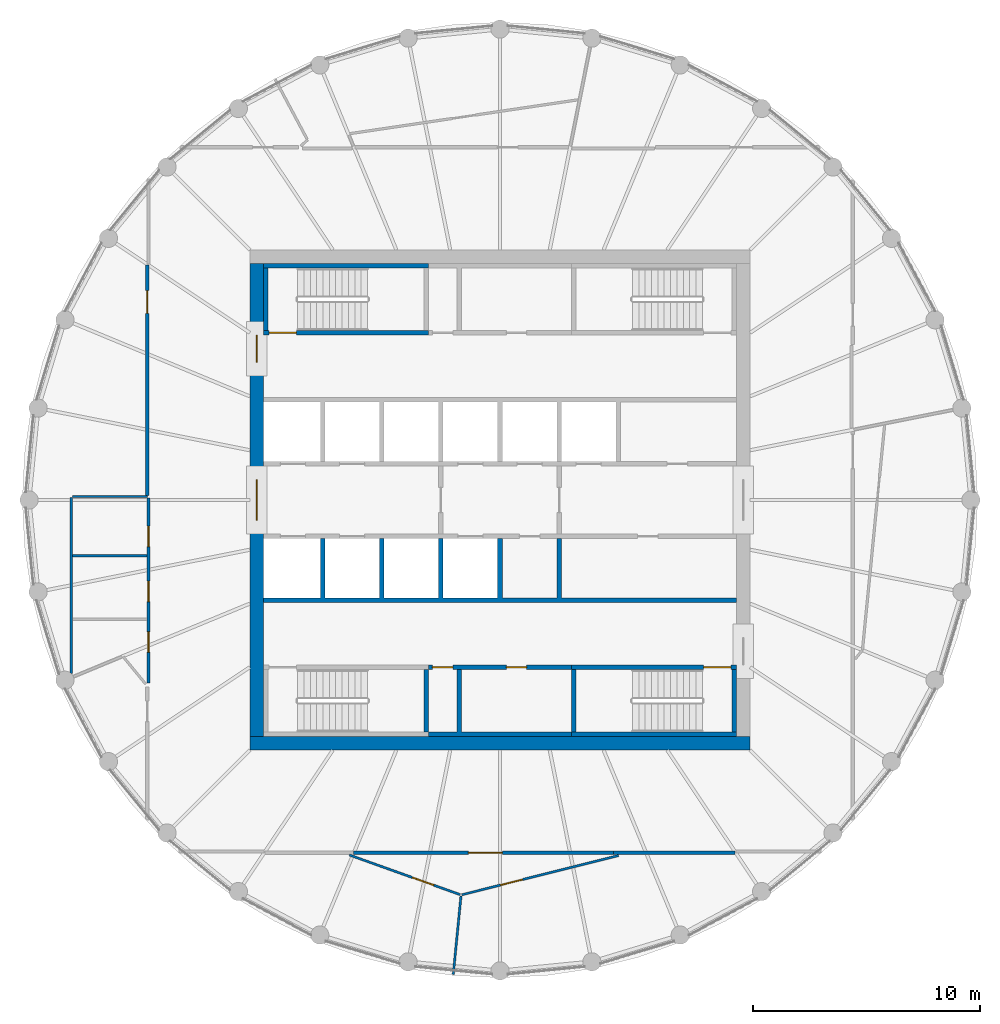
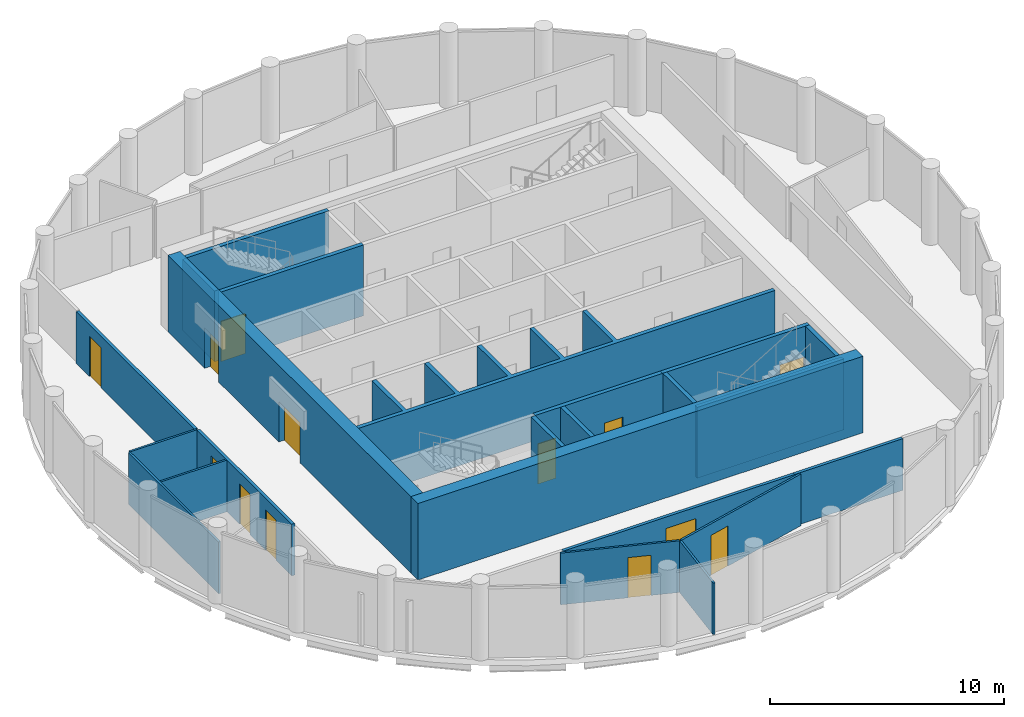
# One storey, part 4 of 7: 23 walls, 13 doors, 13 openings.
"""IFC4 building model written with IfcOpenShell, lengths in metres."""

from ifc_helpers import new_model, si_unit, direction, frame, frame_2d, origin, place, context, subcontext, project, spatial, polyline, rectangle, outline, extrude, material, layer, layer_set, type_object, element, fill, save


model = new_model("IFC4")

# Units and contexts
model_context = context("Model", 3, precision=1e-05, world=origin(), true_north=direction((0.0, 1.0)))
body_context = subcontext(model_context, "Body", "Model", "MODEL_VIEW")
ifc_project = project(units=[si_unit("LENGTHUNIT", "METRE"), si_unit("AREAUNIT", "SQUARE_METRE"), si_unit("VOLUMEUNIT", "CUBIC_METRE"), si_unit("PLANEANGLEUNIT", "RADIAN"), si_unit("MASSUNIT", "GRAM", prefix="KILO")], contexts=[model_context])

# Site, building, storey
site_placement = place(None, origin())
site = spatial("IfcSite", under=ifc_project, at=site_placement, CompositionType="ELEMENT")
building_placement = place(site_placement, origin())
building = spatial("IfcBuilding", under=site, at=building_placement, Name="Corvane Civic Tower", CompositionType="ELEMENT")
storey_placement = place(building_placement, frame((0.0, 0.0, 348.5)))
storey = spatial("IfcBuildingStorey", under=building, at=storey_placement, Name="L83", CompositionType="ELEMENT", Elevation=348.5)

# Wall
ifc_material_1 = material(Name="Concrete C40/50", Category="concrete")
ifc_layer_1 = layer(ifc_material_1, 0.60009765625)
ifc_layer_set_1 = layer_set([ifc_layer_1], Name="Concrete C40/50")
wall_type_1 = type_object("IfcWallType", Name="CORE WALL 600 C40/50", PredefinedType="SHEAR", material=ifc_layer_set_1)
wall_1_placement = place(storey_placement, frame((-11.0, -10.699951171875, 0.0), z_axis=(0.0, 0.0, 1.0), x_axis=(1.0, 0.0, 0.0)))
element("IfcWall", 1, at=wall_1_placement, inside=storey, type_object=wall_type_1, Name="W-L83-core-S", PredefinedType="SHEAR", context=body_context, shape_type="SweptSolid", body=[
    extrude(rectangle(XDim=22.0, YDim=0.60009765625, at=frame_2d((11.0, 0.0))), origin(), (0.0, 0.0, 1.0), 4.0),
])

# Wall, openings, doors
wall_2_placement = place(storey_placement, frame((-10.699951171875, -10.39990234375, 0.0), z_axis=(0.0, 0.0, 1.0), x_axis=(0.0, 1.0, 0.0)))
wall_2 = element("IfcWall", 2, at=wall_2_placement, inside=storey, type_object=wall_type_1, Name="W-L83-core-W", PredefinedType="SHEAR", context=body_context, shape_type="SweptSolid", body=[
    extrude(rectangle(XDim=20.7998046875, YDim=0.60009765625, at=frame_2d((10.39990234375, 0.0))), origin(), (0.0, 0.0, 1.0), 4.0),
])
opening_1_placement = place(wall_2_placement, frame((9.5, 0.0, 0.0)))
opening_1 = element("IfcOpeningElement", 3, at=opening_1_placement, cuts=wall_2, Name="Opening L83.C14", PredefinedType="OPENING", context=body_context, shape_type="SweptSolid", body=[
    extrude(rectangle(XDim=1.800048828125, YDim=2.10009765625, at=frame_2d((0.89990234375, 1.050048828125))), frame((0.0, 0.31005859375, 0.0), z_axis=(0.0, -1.0, 0.0), x_axis=(1.0, 0.0, 0.0)), (0.0, 0.0, 1.0), 0.6201171875),
])
opening_2_placement = place(wall_2_placement, frame((16.449951171875, 0.0, 0.0)))
opening_2 = element("IfcOpeningElement", 4, at=opening_2_placement, cuts=wall_2, Name="Opening L83.C16", PredefinedType="OPENING", context=body_context, shape_type="SweptSolid", body=[
    extrude(rectangle(XDim=1.199951171875, YDim=2.10009765625, at=frame_2d((0.60009765625, 1.050048828125))), frame((0.0, 0.31005859375, 0.0), z_axis=(0.0, -1.0, 0.0), x_axis=(1.0, 0.0, 0.0)), (0.0, 0.0, 1.0), 0.6201171875),
])
ifc_material_2 = material(Name="Steel fire door leaf", Category="steel")
door_type_1 = type_object("IfcDoorType", Name="CR-DOOR-CORE-1800", OperationType="DOUBLE_DOOR_SINGLE_SWING", PredefinedType="DOOR", material=ifc_material_2)
door_1_placement = place(opening_1_placement, origin())
door_1 = element("IfcDoor", 5, at=door_1_placement, inside=storey, type_object=door_type_1, Name="L83 door", OperationType="DOUBLE_DOOR_SINGLE_SWING", OverallHeight=2.10009765625, OverallWidth=1.800048828125, PredefinedType="DOOR", context=body_context, shape_type="SweptSolid", body=[
    extrude(rectangle(XDim=1.800048828125, YDim=2.10009765625, at=frame_2d((0.89990234375, 1.050048828125))), frame((0.0, 0.02490234375, 0.0), z_axis=(0.0, -1.0, 0.0), x_axis=(1.0, 0.0, 0.0)), (0.0, 0.0, 1.0), 0.050048828125),
])
fill(opening_1, door_1)
door_2_placement = place(opening_2_placement, origin())
door_2 = element("IfcDoor", 6, at=door_2_placement, inside=storey, type_object=door_type_1, Name="L83 door", OperationType="DOUBLE_DOOR_SINGLE_SWING", OverallHeight=2.10009765625, OverallWidth=1.199951171875, PredefinedType="DOOR", context=body_context, shape_type="SweptSolid", body=[
    extrude(rectangle(XDim=1.199951171875, YDim=2.10009765625, at=frame_2d((0.60009765625, 1.050048828125))), frame((0.0, 0.02490234375, 0.0), z_axis=(0.0, -1.0, 0.0), x_axis=(1.0, 0.0, 0.0)), (0.0, 0.0, 1.0), 0.050048828125),
])
fill(opening_2, door_2)

ifc_material_3 = material(Name="Concrete C30/37", Category="concrete")
ifc_layer_2 = layer(ifc_material_3, 0.199951171875)
ifc_layer_set_2 = layer_set([ifc_layer_2], Name="Concrete C30/37")
wall_type_2 = type_object("IfcWallType", Name="CR-WALL-200", PredefinedType="PARTITIONING", material=ifc_layer_set_2)
wall_3_placement = place(storey_placement, frame((-3.14990234375, -7.35009765625, 0.0), z_axis=(0.0, 0.0, 1.0), x_axis=(1.0, 0.0, 0.0)))
wall_3 = element("IfcWall", 7, at=wall_3_placement, inside=storey, type_object=wall_type_2, Name="L83 core partition wall", PredefinedType="PARTITIONING", context=body_context, shape_type="SweptSolid", body=[
    extrude(rectangle(XDim=6.2998046875, YDim=0.199951171875, at=frame_2d((3.14990234375, 0.0))), origin(), (0.0, 0.0, 1.0), 3.699951171875),
])
opening_3_placement = place(wall_3_placement, frame((0.175048828125, 0.0, 0.0)))
opening_3 = element("IfcOpeningElement", 8, at=opening_3_placement, cuts=wall_3, Name="Opening L83.C06", PredefinedType="OPENING", context=body_context, shape_type="SweptSolid", body=[
    extrude(rectangle(XDim=0.89990234375, YDim=2.10009765625, at=frame_2d((0.449951171875, 1.050048828125))), frame((0.0, 0.10986328125, 0.0), z_axis=(0.0, -1.0, 0.0), x_axis=(1.0, 0.0, 0.0)), (0.0, 0.0, 1.0), 0.219970703125),
])
opening_4_placement = place(wall_3_placement, frame((3.425048828125, 0.0, 0.0)))
opening_4 = element("IfcOpeningElement", 9, at=opening_4_placement, cuts=wall_3, Name="Opening L83.C07", PredefinedType="OPENING", context=body_context, shape_type="SweptSolid", body=[
    extrude(rectangle(XDim=0.89990234375, YDim=2.10009765625, at=frame_2d((0.449951171875, 1.050048828125))), frame((0.0, 0.10986328125, 0.0), z_axis=(0.0, -1.0, 0.0), x_axis=(1.0, 0.0, 0.0)), (0.0, 0.0, 1.0), 0.219970703125),
])
ifc_material_4 = material(Name="Steel fire door leaf", Category="steel")
door_type_2 = type_object("IfcDoorType", Name="CR-DOOR-900", OperationType="SINGLE_SWING_LEFT", PredefinedType="DOOR", material=ifc_material_4)
door_3_placement = place(opening_3_placement, origin())
door_3 = element("IfcDoor", 10, at=door_3_placement, inside=storey, type_object=door_type_2, Name="L83 door", OperationType="SINGLE_SWING_LEFT", OverallHeight=2.10009765625, OverallWidth=0.89990234375, PredefinedType="DOOR", context=body_context, shape_type="SweptSolid", body=[
    extrude(rectangle(XDim=0.89990234375, YDim=2.10009765625, at=frame_2d((0.449951171875, 1.050048828125))), frame((0.0, 0.02490234375, 0.0), z_axis=(0.0, -1.0, 0.0), x_axis=(1.0, 0.0, 0.0)), (0.0, 0.0, 1.0), 0.050048828125),
])
fill(opening_3, door_3)
door_4_placement = place(opening_4_placement, origin())
door_4 = element("IfcDoor", 11, at=door_4_placement, inside=storey, type_object=door_type_2, Name="L83 door", OperationType="SINGLE_SWING_LEFT", OverallHeight=2.10009765625, OverallWidth=0.89990234375, PredefinedType="DOOR", context=body_context, shape_type="SweptSolid", body=[
    extrude(rectangle(XDim=0.89990234375, YDim=2.10009765625, at=frame_2d((0.449951171875, 1.050048828125))), frame((0.0, 0.02490234375, 0.0), z_axis=(0.0, -1.0, 0.0), x_axis=(1.0, 0.0, 0.0)), (0.0, 0.0, 1.0), 0.050048828125),
])
fill(opening_4, door_4)

# Walls
wall_4_placement = place(storey_placement, origin())
element("IfcWall", 12, at=wall_4_placement, inside=storey, type_object=wall_type_2, Name="L83 core partition wall", PredefinedType="PARTITIONING", context=body_context, shape_type="SweptSolid", body=[
    extrude(outline(polyline([(-7.89990234375, -1.699951171875), (-7.699951171875, -1.699951171875), (-7.699951171875, -4.300048828125), (-5.300048828125, -4.300048828125), (-5.300048828125, -1.699951171875), (-5.10009765625, -1.699951171875), (-5.10009765625, -4.300048828125), (-2.699951171875, -4.300048828125), (-2.699951171875, -1.699951171875), (-2.5, -1.699951171875), (-2.5, -4.300048828125), (-0.10009765625, -4.300048828125), (-0.10009765625, -1.699951171875), (0.10009765625, -1.699951171875), (0.10009765625, -4.300048828125), (2.5, -4.300048828125), (2.5, -1.699951171875), (2.699951171875, -1.699951171875), (2.699951171875, -4.300048828125), (10.39990234375, -4.300048828125), (10.39990234375, -4.5), (-10.39990234375, -4.5), (-10.39990234375, -4.300048828125), (-7.89990234375, -4.300048828125), (-7.89990234375, -1.699951171875)])), origin(), (0.0, 0.0, 1.0), 3.699951171875),
])
wall_5_placement = place(storey_placement, origin())
element("IfcWall", 13, at=wall_5_placement, inside=storey, type_object=wall_type_2, Name="L83 core partition wall", PredefinedType="PARTITIONING", context=body_context, shape_type="SweptSolid", body=[
    extrude(outline(polyline([(-1.89990234375, -7.449951171875), (-1.699951171875, -7.449951171875), (-1.699951171875, -10.199951171875), (3.14990234375, -10.199951171875), (3.14990234375, -10.39990234375), (-3.14990234375, -10.39990234375), (-3.14990234375, -10.199951171875), (-1.89990234375, -10.199951171875), (-1.89990234375, -7.449951171875)])), origin(), (0.0, 0.0, 1.0), 3.699951171875),
])
ifc_material_5 = material(Name="Plasterboard")
ifc_layer_3 = layer(ifc_material_5, 0.10009765625)
ifc_layer_set_3 = layer_set([ifc_layer_3], Name="Plasterboard")
wall_type_3 = type_object("IfcWallType", Name="Partition 100 plasterboard on studs", PredefinedType="PARTITIONING", material=ifc_layer_set_3)
wall_6_placement = place(storey_placement, frame((-2.053466796875, -20.849365234375, 0.0), z_axis=(0.0, 0.0, 1.0), x_axis=(0.098003807525, 0.995186039749, 0.0)))
element("IfcWall", 14, at=wall_6_placement, inside=storey, type_object=wall_type_3, Name="Partition L83.001", PredefinedType="PARTITIONING", context=body_context, shape_type="SweptSolid", body=[
    extrude(rectangle(XDim=3.465087890625, YDim=0.10009765625, at=frame_2d((1.732421875, 0.0))), origin(), (0.0, 0.0, 1.0), 2.699951171875),
])

# Wall, opening, door
wall_7_placement = place(storey_placement, frame((-6.61962890625, -15.605224609375, 0.0), z_axis=(0.0, 0.0, 1.0), x_axis=(0.941535751178, -0.336913088577, 0.0)))
wall_7 = element("IfcWall", 15, at=wall_7_placement, inside=storey, type_object=wall_type_3, Name="Partition L83.002", PredefinedType="PARTITIONING", context=body_context, shape_type="SweptSolid", body=[
    extrude(rectangle(XDim=5.17529296875, YDim=0.10009765625, at=frame_2d((2.587646484375, 0.0))), origin(), (0.0, 0.0, 1.0), 2.699951171875),
])
opening_5_placement = place(wall_7_placement, frame((2.94140625, 0.0, 0.0)))
opening_5 = element("IfcOpeningElement", 16, at=opening_5_placement, cuts=wall_7, Name="Opening L83.004", PredefinedType="OPENING", context=body_context, shape_type="SweptSolid", body=[
    extrude(rectangle(XDim=1.0, YDim=2.10009765625, at=frame_2d((0.5, 1.050048828125))), frame((0.0, 0.06005859375, 0.0), z_axis=(0.0, -1.0, 0.0), x_axis=(1.0, 0.0, 0.0)), (0.0, 0.0, 1.0), 0.1201171875),
])
ifc_material_6 = material(Name="Timber", Category="wood")
door_type_3 = type_object("IfcDoorType", Name="Single door 1000", OperationType="NOTDEFINED", PredefinedType="DOOR", material=ifc_material_6)
door_5_placement = place(opening_5_placement, frame((1.0, 0.0, 0.0), z_axis=(0.0, 0.0, 1.0), x_axis=(-1.0, 0.0, 0.0)))
door_5 = element("IfcDoor", 17, at=door_5_placement, inside=storey, type_object=door_type_3, Name="Door L83.004", OperationType="SINGLE_SWING_LEFT", OverallHeight=2.10009765625, OverallWidth=1.0, PredefinedType="DOOR", context=body_context, shape_type="SweptSolid", body=[
    extrude(rectangle(XDim=1.0, YDim=2.10009765625, at=frame_2d((0.5, 1.050048828125))), frame((0.0, 0.02490234375, 0.0), z_axis=(0.0, -1.0, 0.0), x_axis=(1.0, 0.0, 0.0)), (0.0, 0.0, 1.0), 0.050048828125),
])
fill(opening_5, door_5)

wall_8_placement = place(storey_placement, frame((-1.67578125, -17.353515625, 0.0), z_axis=(0.0, 0.0, 1.0), x_axis=(0.970033252697, 0.242972197302, 0.0)))
wall_8 = element("IfcWall", 18, at=wall_8_placement, inside=storey, type_object=wall_type_3, Name="Partition L83.003", PredefinedType="PARTITIONING", context=body_context, shape_type="SweptSolid", body=[
    extrude(rectangle(XDim=7.10498046875, YDim=0.10009765625, at=frame_2d((3.552490234375, 0.0))), origin(), (0.0, 0.0, 1.0), 2.699951171875),
])
opening_6_placement = place(wall_8_placement, frame((1.748779296875, 0.0, 0.0)))
opening_6 = element("IfcOpeningElement", 19, at=opening_6_placement, cuts=wall_8, Name="Opening L83.003", PredefinedType="OPENING", context=body_context, shape_type="SweptSolid", body=[
    extrude(rectangle(XDim=1.0, YDim=2.10009765625, at=frame_2d((0.5, 1.050048828125))), frame((0.0, 0.06005859375, 0.0), z_axis=(0.0, -1.0, 0.0), x_axis=(1.0, 0.0, 0.0)), (0.0, 0.0, 1.0), 0.1201171875),
])
door_6_placement = place(opening_6_placement, frame((1.0, 0.0, 0.0), z_axis=(0.0, 0.0, 1.0), x_axis=(-1.0, 0.0, 0.0)))
door_6 = element("IfcDoor", 20, at=door_6_placement, inside=storey, type_object=door_type_3, Name="Door L83.003", OperationType="SINGLE_SWING_RIGHT", OverallHeight=2.10009765625, OverallWidth=1.0, PredefinedType="DOOR", context=body_context, shape_type="SweptSolid", body=[
    extrude(rectangle(XDim=1.0, YDim=2.10009765625, at=frame_2d((0.5, 1.050048828125))), frame((0.0, 0.02490234375, 0.0), z_axis=(0.0, -1.0, 0.0), x_axis=(1.0, 0.0, 0.0)), (0.0, 0.0, 1.0), 0.050048828125),
])
fill(opening_6, door_6)

# Walls
wall_9_placement = place(storey_placement, frame((-18.85009765625, -7.617431640625, 0.0), z_axis=(0.0, 0.0, 1.0), x_axis=(0.0, 1.0, 0.0)))
element("IfcWall", 21, at=wall_9_placement, inside=storey, type_object=wall_type_3, Name="Partition L83.014", PredefinedType="PARTITIONING", context=body_context, shape_type="SweptSolid", body=[
    extrude(rectangle(XDim=7.72216796875, YDim=0.10009765625, at=frame_2d((3.861083984375, 0.0))), origin(), (0.0, 0.0, 1.0), 2.699951171875),
])
wall_10_placement = place(storey_placement, frame((-18.800048828125, -2.4453125, 0.0), z_axis=(0.0, 0.0, 1.0), x_axis=(1.0, 0.0, 0.0)))
element("IfcWall", 22, at=wall_10_placement, inside=storey, type_object=wall_type_3, Name="Partition L83.017", PredefinedType="PARTITIONING", context=body_context, shape_type="SweptSolid", body=[
    extrude(rectangle(XDim=3.275146484375, YDim=0.10009765625, at=frame_2d((1.6376953125, 0.0))), origin(), (0.0, 0.0, 1.0), 2.699951171875),
])
wall_11_placement = place(storey_placement, frame((-18.800048828125, 0.15478515625, 0.0), z_axis=(0.0, 0.0, 1.0), x_axis=(1.0, 0.0, 0.0)))
element("IfcWall", 23, at=wall_11_placement, inside=storey, type_object=wall_type_3, Name="Partition L83.018", PredefinedType="PARTITIONING", context=body_context, shape_type="SweptSolid", body=[
    extrude(rectangle(XDim=3.300048828125, YDim=0.10009765625, at=frame_2d((1.64990234375, 0.0))), origin(), (0.0, 0.0, 1.0), 2.699951171875),
])

# Wall, opening, door
ifc_material_7 = material(Name="Concrete C50/60", Category="concrete")
ifc_layer_4 = layer(ifc_material_7, 0.199951171875)
ifc_layer_set_4 = layer_set([ifc_layer_4], Name="Concrete C50/60")
wall_type_4 = type_object("IfcWallType", Name="ST-WALL-200", PredefinedType="SHEAR", material=ifc_layer_set_4)
wall_12_placement = place(storey_placement, frame((3.14990234375, -7.35009765625, 0.0), z_axis=(0.0, 0.0, 1.0), x_axis=(1.0, 0.0, 0.0)))
wall_12 = element("IfcWall", 24, at=wall_12_placement, inside=storey, type_object=wall_type_4, Name="L83 stair enclosure wall", PredefinedType="SHEAR", context=body_context, shape_type="SweptSolid", body=[
    extrude(rectangle(XDim=7.25, YDim=0.199951171875, at=frame_2d((3.625, 0.0))), origin(), (0.0, 0.0, 1.0), 3.699951171875),
])
opening_7_placement = place(wall_12_placement, frame((5.800048828125, 0.0, 0.0)))
opening_7 = element("IfcOpeningElement", 25, at=opening_7_placement, cuts=wall_12, Name="Opening L83.C10", PredefinedType="OPENING", context=body_context, shape_type="SweptSolid", body=[
    extrude(rectangle(XDim=1.199951171875, YDim=2.10009765625, at=frame_2d((0.60009765625, 1.050048828125))), frame((0.0, 0.10986328125, 0.0), z_axis=(0.0, -1.0, 0.0), x_axis=(1.0, 0.0, 0.0)), (0.0, 0.0, 1.0), 0.219970703125),
])
ifc_material_8 = material(Name="Steel fire door leaf", Category="steel")
door_type_4 = type_object("IfcDoorType", Name="ST-DOOR-1200", OperationType="SINGLE_SWING_RIGHT", PredefinedType="DOOR", material=ifc_material_8)
door_7_placement = place(opening_7_placement, origin())
door_7 = element("IfcDoor", 26, at=door_7_placement, inside=storey, type_object=door_type_4, Name="L83 stair door", OperationType="SINGLE_SWING_RIGHT", OverallHeight=2.10009765625, OverallWidth=1.199951171875, PredefinedType="DOOR", context=body_context, shape_type="SweptSolid", body=[
    extrude(rectangle(XDim=1.199951171875, YDim=2.10009765625, at=frame_2d((0.60009765625, 1.050048828125))), frame((0.0, 0.02490234375, 0.0), z_axis=(0.0, -1.0, 0.0), x_axis=(1.0, 0.0, 0.0)), (0.0, 0.0, 1.0), 0.050048828125),
])
fill(opening_7, door_7)

wall_13_placement = place(storey_placement, frame((-10.39990234375, 7.35009765625, 0.0), z_axis=(0.0, 0.0, 1.0), x_axis=(1.0, 0.0, 0.0)))
wall_13 = element("IfcWall", 27, at=wall_13_placement, inside=storey, type_object=wall_type_4, Name="L83 stair enclosure wall", PredefinedType="SHEAR", context=body_context, shape_type="SweptSolid", body=[
    extrude(rectangle(XDim=7.25, YDim=0.199951171875, at=frame_2d((3.625, 0.0))), origin(), (0.0, 0.0, 1.0), 3.699951171875),
])
opening_8_placement = place(wall_13_placement, frame((0.25, 0.0, 0.0)))
opening_8 = element("IfcOpeningElement", 28, at=opening_8_placement, cuts=wall_13, Name="Opening L83.C09", PredefinedType="OPENING", context=body_context, shape_type="SweptSolid", body=[
    extrude(rectangle(XDim=1.199951171875, YDim=2.10009765625, at=frame_2d((0.60009765625, 1.050048828125))), frame((0.0, 0.10986328125, 0.0), z_axis=(0.0, -1.0, 0.0), x_axis=(1.0, 0.0, 0.0)), (0.0, 0.0, 1.0), 0.219970703125),
])
door_8_placement = place(opening_8_placement, origin())
door_8 = element("IfcDoor", 29, at=door_8_placement, inside=storey, type_object=door_type_4, Name="L83 stair door", OperationType="SINGLE_SWING_RIGHT", OverallHeight=2.10009765625, OverallWidth=1.199951171875, PredefinedType="DOOR", context=body_context, shape_type="SweptSolid", body=[
    extrude(rectangle(XDim=1.199951171875, YDim=2.10009765625, at=frame_2d((0.60009765625, 1.050048828125))), frame((0.0, 0.02490234375, 0.0), z_axis=(0.0, -1.0, 0.0), x_axis=(1.0, 0.0, 0.0)), (0.0, 0.0, 1.0), 0.050048828125),
])
fill(opening_8, door_8)

# Walls
wall_14_placement = place(storey_placement, origin())
element("IfcWall", 30, at=wall_14_placement, inside=storey, type_object=wall_type_4, Name="L83 stair enclosure wall", PredefinedType="SHEAR", context=body_context, shape_type="SweptSolid", body=[
    extrude(outline(polyline([(-3.14990234375, 10.199951171875), (-10.39990234375, 10.199951171875), (-10.39990234375, 10.39990234375), (-3.14990234375, 10.39990234375), (-3.14990234375, 10.199951171875)])), origin(), (0.0, 0.0, 1.0), 3.699951171875),
])
wall_15_placement = place(storey_placement, origin())
element("IfcWall", 31, at=wall_15_placement, inside=storey, type_object=wall_type_4, Name="L83 stair enclosure wall", PredefinedType="SHEAR", context=body_context, shape_type="SweptSolid", body=[
    extrude(outline(polyline([(10.39990234375, -10.39990234375), (3.14990234375, -10.39990234375), (3.14990234375, -10.199951171875), (10.39990234375, -10.199951171875), (10.39990234375, -10.39990234375)])), origin(), (0.0, 0.0, 1.0), 3.699951171875),
])
wall_16_placement = place(storey_placement, origin())
element("IfcWall", 32, at=wall_16_placement, inside=storey, type_object=wall_type_4, Name="L83 stair enclosure wall", PredefinedType="SHEAR", context=body_context, shape_type="SweptSolid", body=[
    extrude(outline(polyline([(-3.14990234375, -7.449951171875), (-3.14990234375, -10.199951171875), (-3.35009765625, -10.199951171875), (-3.35009765625, -7.449951171875), (-3.14990234375, -7.449951171875)])), origin(), (0.0, 0.0, 1.0), 3.699951171875),
])
wall_17_placement = place(storey_placement, origin())
element("IfcWall", 33, at=wall_17_placement, inside=storey, type_object=wall_type_4, Name="L83 stair enclosure wall", PredefinedType="SHEAR", context=body_context, shape_type="SweptSolid", body=[
    extrude(outline(polyline([(3.35009765625, -7.449951171875), (3.35009765625, -10.199951171875), (3.14990234375, -10.199951171875), (3.14990234375, -7.449951171875), (3.35009765625, -7.449951171875)])), origin(), (0.0, 0.0, 1.0), 3.699951171875),
])
wall_18_placement = place(storey_placement, origin())
element("IfcWall", 34, at=wall_18_placement, inside=storey, type_object=wall_type_4, Name="L83 stair enclosure wall", PredefinedType="SHEAR", context=body_context, shape_type="SweptSolid", body=[
    extrude(outline(polyline([(-10.199951171875, 7.449951171875), (-10.39990234375, 7.449951171875), (-10.39990234375, 10.199951171875), (-10.199951171875, 10.199951171875), (-10.199951171875, 7.449951171875)])), origin(), (0.0, 0.0, 1.0), 3.699951171875),
])
wall_19_placement = place(storey_placement, origin())
element("IfcWall", 35, at=wall_19_placement, inside=storey, type_object=wall_type_4, Name="L83 stair enclosure wall", PredefinedType="SHEAR", context=body_context, shape_type="SweptSolid", body=[
    extrude(outline(polyline([(10.39990234375, -7.449951171875), (10.39990234375, -10.199951171875), (10.199951171875, -10.199951171875), (10.199951171875, -7.449951171875), (10.39990234375, -7.449951171875)])), origin(), (0.0, 0.0, 1.0), 3.699951171875),
])

# Wall, opening, door
ifc_material_9 = material(Name="Plasterboard")
ifc_layer_5 = layer(ifc_material_9, 0.14990234375)
ifc_layer_set_5 = layer_set([ifc_layer_5], Name="Plasterboard")
wall_type_5 = type_object("IfcWallType", Name="Tenancy wall 150 EI 60", PredefinedType="PARTITIONING", material=ifc_layer_set_5)
wall_20_placement = place(storey_placement, frame((-6.447265625, -15.5, 0.0), z_axis=(0.0, 0.0, 1.0), x_axis=(1.0, 0.0, 0.0)))
wall_20 = element("IfcWall", 36, at=wall_20_placement, inside=storey, type_object=wall_type_5, Name="Partition L83.005", PredefinedType="PARTITIONING", context=body_context, shape_type="SweptSolid", body=[
    extrude(rectangle(XDim=11.43505859375, YDim=0.14990234375, at=frame_2d((5.717529296875, 0.0))), origin(), (0.0, 0.0, 1.0), 2.699951171875),
])
opening_9_placement = place(wall_20_placement, frame((5.055419921875, 0.0, 0.0)))
opening_9 = element("IfcOpeningElement", 37, at=opening_9_placement, cuts=wall_20, Name="Opening L83.005", PredefinedType="OPENING", context=body_context, shape_type="SweptSolid", body=[
    extrude(rectangle(XDim=1.5, YDim=2.10009765625, at=frame_2d((0.75, 1.050048828125))), frame((0.0, 0.0849609375, 0.0), z_axis=(0.0, -1.0, 0.0), x_axis=(1.0, 0.0, 0.0)), (0.0, 0.0, 1.0), 0.169921875),
])
ifc_material_10 = material(Name="Steel and timber", Category="steel")
door_type_5 = type_object("IfcDoorType", Name="Fire door FD60 double 1500", OperationType="NOTDEFINED", PredefinedType="DOOR", material=ifc_material_10)
door_9_placement = place(opening_9_placement, frame((1.5, 0.0, 0.0), z_axis=(0.0, 0.0, 1.0), x_axis=(-1.0, 0.0, 0.0)))
door_9 = element("IfcDoor", 38, at=door_9_placement, inside=storey, type_object=door_type_5, Name="Door L83.005", OperationType="DOUBLE_DOOR_SINGLE_SWING", OverallHeight=2.10009765625, OverallWidth=1.5, PredefinedType="DOOR", context=body_context, shape_type="SweptSolid", body=[
    extrude(rectangle(XDim=1.5, YDim=2.10009765625, at=frame_2d((0.75, 1.050048828125))), frame((0.0, 0.02490234375, 0.0), z_axis=(0.0, -1.0, 0.0), x_axis=(1.0, 0.0, 0.0)), (0.0, 0.0, 1.0), 0.050048828125),
])
fill(opening_9, door_9)

# Wall
wall_21_placement = place(storey_placement, frame((4.98779296875, -15.5, 0.0), z_axis=(0.0, 0.0, 1.0), x_axis=(1.0, 0.0, 0.0)))
element("IfcWall", 39, at=wall_21_placement, inside=storey, type_object=wall_type_5, Name="Partition L83.006", PredefinedType="PARTITIONING", context=body_context, shape_type="SweptSolid", body=[
    extrude(rectangle(XDim=5.343017578125, YDim=0.14990234375, at=frame_2d((2.67138671875, 0.0))), origin(), (0.0, 0.0, 1.0), 2.699951171875),
])

# Wall, openings, doors
wall_22_placement = place(storey_placement, frame((-15.449951171875, -8.03564453125, 0.0), z_axis=(0.0, 0.0, 1.0), x_axis=(0.0, 1.0, 0.0)))
wall_22 = element("IfcWall", 40, at=wall_22_placement, inside=storey, type_object=wall_type_5, Name="Partition L83.012", PredefinedType="PARTITIONING", context=body_context, shape_type="SweptSolid", body=[
    extrude(rectangle(XDim=8.115234375, YDim=0.14990234375, at=frame_2d((4.0576171875, 0.0))), origin(), (0.0, 0.0, 1.0), 2.699951171875),
])
opening_10_placement = place(wall_22_placement, frame((3.564697265625, 0.0, 0.0)))
opening_10 = element("IfcOpeningElement", 41, at=opening_10_placement, cuts=wall_22, Name="Opening L83.008", PredefinedType="OPENING", context=body_context, shape_type="SweptSolid", body=[
    extrude(rectangle(XDim=0.89990234375, YDim=2.10009765625, at=frame_2d((0.449951171875, 1.050048828125))), frame((0.0, 0.0849609375, 0.0), z_axis=(0.0, -1.0, 0.0), x_axis=(1.0, 0.0, 0.0)), (0.0, 0.0, 1.0), 0.169921875),
])
opening_11_placement = place(wall_22_placement, frame((5.98779296875, 0.0, 0.0)))
opening_11 = element("IfcOpeningElement", 42, at=opening_11_placement, cuts=wall_22, Name="Opening L83.009", PredefinedType="OPENING", context=body_context, shape_type="SweptSolid", body=[
    extrude(rectangle(XDim=0.89990234375, YDim=2.10009765625, at=frame_2d((0.449951171875, 1.050048828125))), frame((0.0, 0.0849609375, 0.0), z_axis=(0.0, -1.0, 0.0), x_axis=(1.0, 0.0, 0.0)), (0.0, 0.0, 1.0), 0.169921875),
])
opening_12_placement = place(wall_22_placement, frame((1.343994140625, 0.0, 0.0)))
opening_12 = element("IfcOpeningElement", 43, at=opening_12_placement, cuts=wall_22, Name="Opening L83.010", PredefinedType="OPENING", context=body_context, shape_type="SweptSolid", body=[
    extrude(rectangle(XDim=0.89990234375, YDim=2.10009765625, at=frame_2d((0.449951171875, 1.050048828125))), frame((0.0, 0.0849609375, 0.0), z_axis=(0.0, -1.0, 0.0), x_axis=(1.0, 0.0, 0.0)), (0.0, 0.0, 1.0), 0.169921875),
])
ifc_material_11 = material(Name="Steel and timber", Category="steel")
door_type_6 = type_object("IfcDoorType", Name="Fire door FD30S 900", OperationType="NOTDEFINED", PredefinedType="DOOR", material=ifc_material_11)
door_10_placement = place(opening_10_placement, origin())
door_10 = element("IfcDoor", 44, at=door_10_placement, inside=storey, type_object=door_type_6, Name="Door L83.008", OperationType="SINGLE_SWING_LEFT", OverallHeight=2.10009765625, OverallWidth=0.89990234375, PredefinedType="DOOR", context=body_context, shape_type="SweptSolid", body=[
    extrude(rectangle(XDim=0.89990234375, YDim=2.10009765625, at=frame_2d((0.449951171875, 1.050048828125))), frame((0.0, 0.02490234375, 0.0), z_axis=(0.0, -1.0, 0.0), x_axis=(1.0, 0.0, 0.0)), (0.0, 0.0, 1.0), 0.050048828125),
])
fill(opening_10, door_10)
door_11_placement = place(opening_11_placement, origin())
door_11 = element("IfcDoor", 45, at=door_11_placement, inside=storey, type_object=door_type_6, Name="Door L83.009", OperationType="SINGLE_SWING_RIGHT", OverallHeight=2.10009765625, OverallWidth=0.89990234375, PredefinedType="DOOR", context=body_context, shape_type="SweptSolid", body=[
    extrude(rectangle(XDim=0.89990234375, YDim=2.10009765625, at=frame_2d((0.449951171875, 1.050048828125))), frame((0.0, 0.02490234375, 0.0), z_axis=(0.0, -1.0, 0.0), x_axis=(1.0, 0.0, 0.0)), (0.0, 0.0, 1.0), 0.050048828125),
])
fill(opening_11, door_11)
door_12_placement = place(opening_12_placement, origin())
door_12 = element("IfcDoor", 46, at=door_12_placement, inside=storey, type_object=door_type_6, Name="Door L83.010", OperationType="SINGLE_SWING_LEFT", OverallHeight=2.10009765625, OverallWidth=0.89990234375, PredefinedType="DOOR", context=body_context, shape_type="SweptSolid", body=[
    extrude(rectangle(XDim=0.89990234375, YDim=2.10009765625, at=frame_2d((0.449951171875, 1.050048828125))), frame((0.0, 0.02490234375, 0.0), z_axis=(0.0, -1.0, 0.0), x_axis=(1.0, 0.0, 0.0)), (0.0, 0.0, 1.0), 0.050048828125),
])
fill(opening_12, door_12)

# Wall, opening, door
wall_23_placement = place(storey_placement, frame((-15.5, 0.20458984375, 0.0), z_axis=(0.0, 0.0, 1.0), x_axis=(0.0, 1.0, 0.0)))
wall_23 = element("IfcWall", 47, at=wall_23_placement, inside=storey, type_object=wall_type_5, Name="Partition L83.019", PredefinedType="PARTITIONING", context=body_context, shape_type="SweptSolid", body=[
    extrude(rectangle(XDim=10.126220703125, YDim=0.14990234375, at=frame_2d((5.06298828125, 0.0))), origin(), (0.0, 0.0, 1.0), 2.699951171875),
])
opening_13_placement = place(wall_23_placement, frame((7.99658203125, 0.0, 0.0)))
opening_13 = element("IfcOpeningElement", 48, at=opening_13_placement, cuts=wall_23, Name="Opening L83.007", PredefinedType="OPENING", context=body_context, shape_type="SweptSolid", body=[
    extrude(rectangle(XDim=1.0, YDim=2.10009765625, at=frame_2d((0.5, 1.050048828125))), frame((0.0, 0.0849609375, 0.0), z_axis=(0.0, -1.0, 0.0), x_axis=(1.0, 0.0, 0.0)), (0.0, 0.0, 1.0), 0.169921875),
])
ifc_material_12 = material(Name="Steel and timber", Category="steel")
door_type_7 = type_object("IfcDoorType", Name="Fire door FD30S 1000", OperationType="NOTDEFINED", PredefinedType="DOOR", material=ifc_material_12)
door_13_placement = place(opening_13_placement, origin())
door_13 = element("IfcDoor", 49, at=door_13_placement, inside=storey, type_object=door_type_7, Name="Door L83.007", OperationType="SINGLE_SWING_LEFT", OverallHeight=2.10009765625, OverallWidth=1.0, PredefinedType="DOOR", context=body_context, shape_type="SweptSolid", body=[
    extrude(rectangle(XDim=1.0, YDim=2.10009765625, at=frame_2d((0.5, 1.050048828125))), frame((0.0, 0.02490234375, 0.0), z_axis=(0.0, -1.0, 0.0), x_axis=(1.0, 0.0, 0.0)), (0.0, 0.0, 1.0), 0.050048828125),
])
fill(opening_13, door_13)

save(model, "model.ifc")
